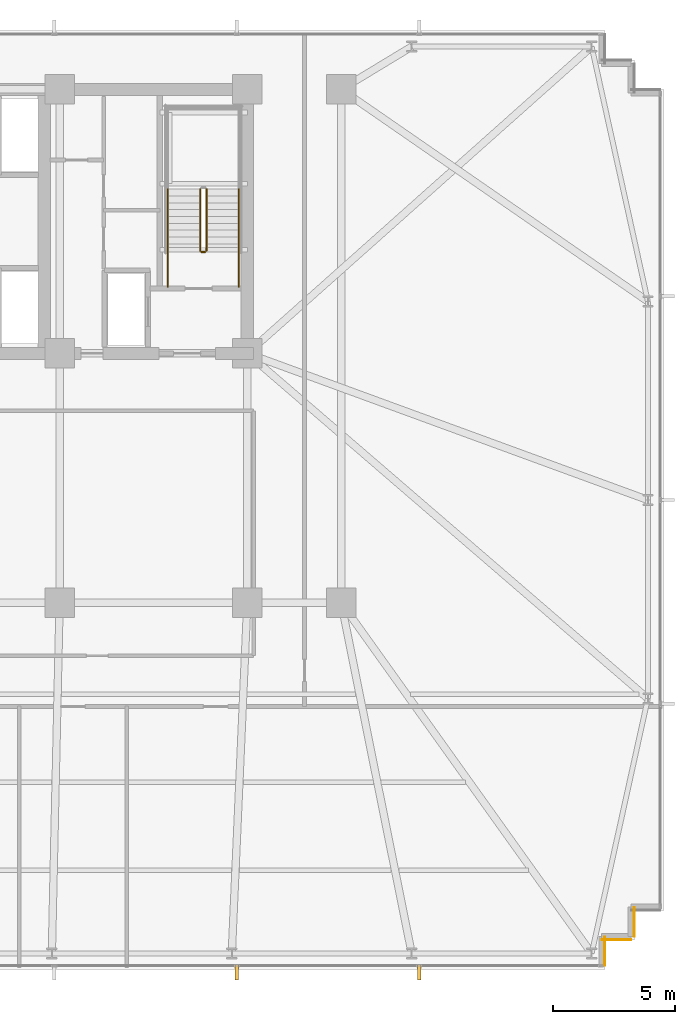
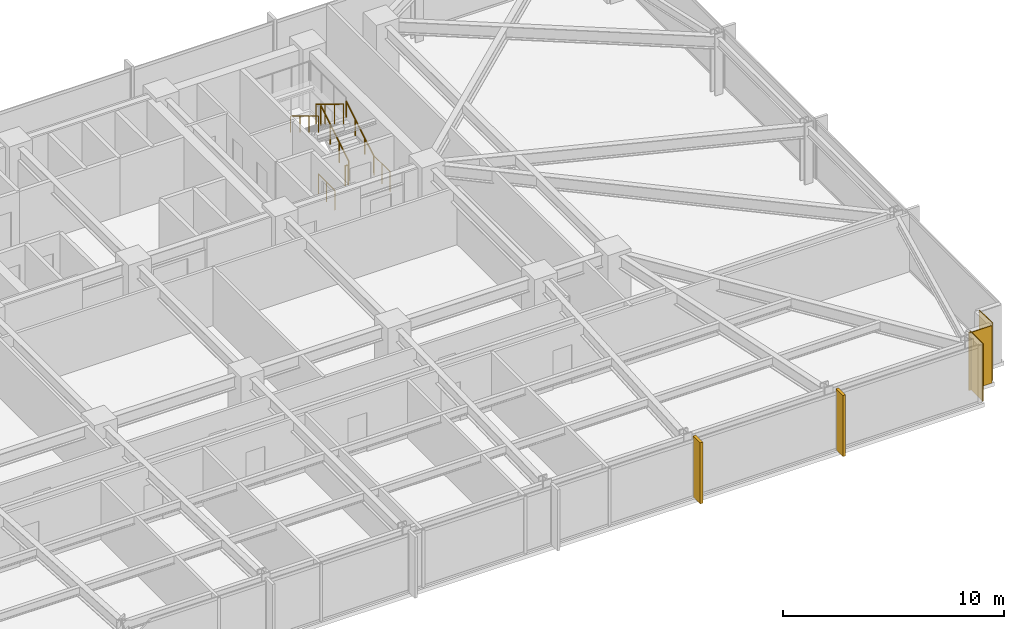
# One storey, part 29 of 32: 7 railings, 3 coverings, 2 shading devices.
"""IFC4 building model written with IfcOpenShell, lengths in metres."""

import ifcopenshell
import ifcopenshell.guid

model = None  # the IFC model being written
_history = None  # IfcOwnerHistory: only IFC2X3 demands one
_inside = {}  # id of a spatial element -> (the spatial element, [elements in it])
_under = {}  # id of a project, library or spatial element -> (it, [spatial elements below it])
_declared = {}  # id of a project -> (the project, [libraries it declares])
_typed = {}  # id of a type object -> (the type object, [elements of that type])
_made_of = {}  # id of a material, layer set ... -> (it, [elements and type objects made of it])


def new_model(schema):
    """Start an empty IFC model of exactly this schema.

    Asked for "IFC4X3", IfcOpenShell would pick the latest addendum, in which some entities
    have other attributes; the version numbers below select the first issue.
    IFC2X3 requires an IfcOwnerHistory on every rooted entity: one is made here for all.
    """
    global model, _history
    if schema == "IFC4X3":
        model = ifcopenshell.file(schema_version=(4, 3, 0, 0))
    else:
        model = ifcopenshell.file(schema=schema)
    _inside.clear()
    _under.clear()
    _declared.clear()
    _typed.clear()
    _made_of.clear()
    _history = None
    if model.schema == "IFC2X3":
        org = make("IfcOrganization", Name="unknown")
        user = make(
            "IfcPersonAndOrganization",
            ThePerson=make("IfcPerson", FamilyName="unknown"),
            TheOrganization=org,
        )
        app = make(
            "IfcApplication",
            ApplicationDeveloper=org,
            Version="unknown",
            ApplicationFullName="unknown",
            ApplicationIdentifier="unknown",
        )
        _history = make(
            "IfcOwnerHistory",
            OwningUser=user,
            OwningApplication=app,
            ChangeAction="ADDED",
            CreationDate=0,
        )
    return model


def make(cls, **values):
    """One entity of the class cls with the attributes given. An attribute that is None is left unset."""
    return model.create_entity(
        cls, **{name: value for name, value in values.items() if value is not None}
    )


def rooted(cls, **values):
    """An entity with a GlobalId (a new one), such as an element, a storey or a relation."""
    return make(cls, GlobalId=ifcopenshell.guid.new(), OwnerHistory=_history, **values)


def si_unit(unit_type, name, prefix=None):
    """IfcSIUnit, for example si_unit("LENGTHUNIT", "METRE", prefix="MILLI")."""
    return make("IfcSIUnit", UnitType=unit_type, Prefix=prefix, Name=name)


def assignment(units):
    """IfcUnitAssignment: the units of a project."""
    return None if units is None else make("IfcUnitAssignment", Units=units)


def point(xyz):
    """IfcCartesianPoint."""
    return None if xyz is None else make("IfcCartesianPoint", Coordinates=xyz)


def direction(xyz):
    """IfcDirection."""
    return None if xyz is None else make("IfcDirection", DirectionRatios=xyz)


def frame(location, z_axis=None, x_axis=None):
    """IfcAxis2Placement3D, a coordinate frame: its origin and axes. An axis left out is left unset."""
    return make(
        "IfcAxis2Placement3D",
        Location=point(location),
        Axis=direction(z_axis),
        RefDirection=direction(x_axis),
    )


def frame_2d(location, x_axis=None):
    """IfcAxis2Placement2D, a coordinate frame in the plane: its origin and x axis."""
    return make(
        "IfcAxis2Placement2D", Location=point(location), RefDirection=direction(x_axis)
    )


def origin():
    """The frame at (0, 0, 0) with its axes left unset."""
    return frame((0.0, 0.0, 0.0))


def origin_2d():
    """The frame at (0, 0) in the plane with its x axis left unset."""
    return frame_2d((0.0, 0.0))


def place(relative_to, where):
    """IfcLocalPlacement: puts the frame where relative to a parent placement (None: the world)."""
    return make(
        "IfcLocalPlacement", PlacementRelTo=relative_to, RelativePlacement=where
    )


def context(
    kind, dimensions, precision=None, world=None, true_north=None, identifier=None
):
    """IfcGeometricRepresentationContext, for example the 3D "Model" context."""
    return make(
        "IfcGeometricRepresentationContext",
        ContextIdentifier=identifier,
        ContextType=kind,
        CoordinateSpaceDimension=dimensions,
        Precision=precision,
        WorldCoordinateSystem=world,
        TrueNorth=true_north,
    )


def subcontext(parent, identifier, kind, view, scale=None):
    """IfcGeometricRepresentationSubContext, for example "Body" below "Model"."""
    return make(
        "IfcGeometricRepresentationSubContext",
        ContextIdentifier=identifier,
        ContextType=kind,
        ParentContext=parent,
        TargetScale=scale,
        TargetView=view,
    )


def project(units=None, contexts=None):
    """IfcProject with its units and contexts."""
    return rooted(
        "IfcProject",
        Name="project",
        RepresentationContexts=contexts,
        UnitsInContext=assignment(units),
    )


def spatial(cls, under=None, at=None, **own):
    """A site, building, storey or space (cls), placed at a placement, below another one or the project."""
    s = rooted(cls, ObjectPlacement=at, **own)
    if under is not None:
        _under.setdefault(under.id(), (under, []))[1].append(s)
    return s


def profile(cls, at=None, kind="AREA", **sizes):
    """A parametric profile (cls). Its sizes go by their IFC names, for example OverallWidth=200.0."""
    return make(cls, ProfileType=kind, Position=at, **sizes)


def rectangle(**sizes):
    """IfcRectangleProfileDef."""
    return profile("IfcRectangleProfileDef", **sizes)


def circle(**sizes):
    """IfcCircleProfileDef."""
    return profile("IfcCircleProfileDef", **sizes)


def extrude(swept, where, along, depth):
    """IfcExtrudedAreaSolid: the profile swept, set in the frame where, extruded along a direction by depth."""
    return make(
        "IfcExtrudedAreaSolid",
        SweptArea=swept,
        Position=where,
        ExtrudedDirection=direction(along),
        Depth=depth,
    )


def shape(context_of_items, identifier, shape_type, items):
    """IfcShapeRepresentation: the items that make up one representation, for example the "Body"."""
    return make(
        "IfcShapeRepresentation",
        ContextOfItems=context_of_items,
        RepresentationIdentifier=identifier,
        RepresentationType=shape_type,
        Items=items,
    )


def material(Name=None, Category=None):
    """IfcMaterial."""
    return make("IfcMaterial", Name=Name, Category=Category)


def layer(
    of_material, thickness, ventilated=None, Name=None, Category=None, Priority=None
):
    """IfcMaterialLayer: one layer of a wall or slab, of a material (None: an air gap)."""
    return make(
        "IfcMaterialLayer",
        Material=of_material,
        LayerThickness=thickness,
        IsVentilated=ventilated,
        Name=Name,
        Category=Category,
        Priority=Priority,
    )


def layer_set(layers, Name=None):
    """IfcMaterialLayerSet."""
    return make("IfcMaterialLayerSet", MaterialLayers=layers, LayerSetName=Name)


def made_of(thing, what):
    """Note that an element or type object is made of a material, layer set ...; save() writes the relation."""
    if what is not None:
        _made_of.setdefault(what.id(), (what, []))[1].append(thing)
    return thing


def type_object(cls, material=None, **own):
    """A type object (cls), such as IfcWallType, which elements share."""
    return made_of(rooted(cls, **own), material)


def element(
    cls,
    number,
    at=None,
    inside=None,
    cuts=None,
    type_object=None,
    material=None,
    context=None,
    identifier="Body",
    shape_type=None,
    held_by="IfcProductDefinitionShape",
    body=None,
    shapes=None,
    **own,
):
    """One element of the class cls, such as IfcWall. Its Tag is "e" and its number.

    at: its placement. inside: the storey or other place that contains it. cuts: it is an
    opening in that element (IfcRelVoidsElement). A single representation is given by context,
    identifier, shape_type and body (its items); several are given by shapes. held_by: the class
    of the entity that holds the representations. save() writes the other relations.
    """
    e = rooted(cls, Tag="e%d" % number, ObjectPlacement=at, **own)
    if body is not None:
        shapes = [shape(context, identifier, shape_type, body)]
    if shapes is not None:
        e.Representation = make(held_by, Representations=shapes)
    if inside is not None:
        _inside.setdefault(inside.id(), (inside, []))[1].append(e)
    if cuts is not None:
        rooted(
            "IfcRelVoidsElement", RelatingBuildingElement=cuts, RelatedOpeningElement=e
        )
    if type_object is not None:
        _typed.setdefault(type_object.id(), (type_object, []))[1].append(e)
    return made_of(e, material)


def aggregate(whole, parts):
    """IfcRelAggregates: a whole, such as a stair, and the parts it consists of."""
    return rooted("IfcRelAggregates", RelatingObject=whole, RelatedObjects=parts)


def save(model, path):
    """Write the relations noted so far, then the file.

    IfcRelAggregates (storeys below a building ...), IfcRelContainedInSpatialStructure (elements
    in a storey), IfcRelDefinesByType, IfcRelAssociatesMaterial and IfcRelDeclares: one each for
    every whole, place, type object, material and project.
    """
    for whole, parts in _under.values():
        aggregate(whole, parts)
    for where, things in _inside.values():
        rooted(
            "IfcRelContainedInSpatialStructure",
            RelatedElements=things,
            RelatingStructure=where,
        )
    for kind, things in _typed.values():
        rooted("IfcRelDefinesByType", RelatedObjects=things, RelatingType=kind)
    for what, things in _made_of.values():
        rooted("IfcRelAssociatesMaterial", RelatedObjects=things, RelatingMaterial=what)
    for by, libraries in _declared.values():
        rooted("IfcRelDeclares", RelatingContext=by, RelatedDefinitions=libraries)
    model.write(path)


model = new_model("IFC4")

# Units and contexts
model_context = context("Model", 3, precision=1e-05, world=origin(), true_north=direction((0.0, 1.0)))
body_context = subcontext(model_context, "Body", "Model", "MODEL_VIEW")
ifc_project = project(units=[si_unit("LENGTHUNIT", "METRE"), si_unit("AREAUNIT", "SQUARE_METRE"), si_unit("VOLUMEUNIT", "CUBIC_METRE"), si_unit("PLANEANGLEUNIT", "RADIAN"), si_unit("MASSUNIT", "GRAM", prefix="KILO")], contexts=[model_context])

# Site, building, storey
site_placement = place(None, origin())
site = spatial("IfcSite", under=ifc_project, at=site_placement, CompositionType="ELEMENT")
building_placement = place(site_placement, origin())
building = spatial("IfcBuilding", under=site, at=building_placement, Name="Yelkora Congress Tower", CompositionType="ELEMENT")
storey_placement = place(building_placement, frame((0.0, 0.0, 44.0)))
storey = spatial("IfcBuildingStorey", under=building, at=storey_placement, Name="L10", CompositionType="ELEMENT", Elevation=44.0)

# Coverings
ifc_material_1 = material(Name="Anatolian bush-hammered limestone", Category="masonry")
ifc_layer_1 = layer(ifc_material_1, 0.0400390625)
ifc_layer_set_1 = layer_set([ifc_layer_1], Name="Anatolian bush-hammered limestone")
covering_type = type_object("IfcCoveringType", Name="COV-CLAD-SPANDREL-40", PredefinedType="CLADDING", material=ifc_layer_set_1)
for number, where, z_axis, x_axis, name in (
    (1, (69.594970703125, 12.739990234375, 0.0), (0.0, 0.0, 1.0), (0.0, -1.0, 0.0), "L10 Anatolian Limestone Cladding EW-L10-SR17"),
    (2, (69.4599609375, 11.405029296875, 0.0), (0.0, 0.0, 1.0), (-1.0, 0.0, 0.0), "L10 Anatolian Limestone Cladding EW-L10-SR18"),
    (3, (68.39501953125, 11.5400390625, 0.0), (0.0, 0.0, 1.0), (0.0, -1.0, 0.0), "L10 Anatolian Limestone Cladding EW-L10-SR19"),
):
    element("IfcCovering", number, at=place(storey_placement, frame(where, z_axis=z_axis, x_axis=x_axis)), inside=storey, type_object=covering_type, Name=name, PredefinedType="CLADDING", context=body_context, shape_type="SweptSolid", body=[
        extrude(rectangle(XDim=1.199951171875, YDim=0.0400390625, at=frame_2d((0.60009765625, 0.0))), origin(), (0.0, 0.0, 1.0), 3.179931640625),
    ])

# Railings
ifc_material_2 = material(Name="Painted galvanised steel stair well guard with vertical infill", Category="steel")
ifc_layer_2 = layer(ifc_material_2, 0.06005859375)
ifc_layer_set_2 = layer_set([ifc_layer_2], Name="Painted galvanised steel stair well guard with vertical infill")
railing_type_1 = type_object("IfcRailingType", Name="RAIL-STAIR-GUARD-1120", PredefinedType="GUARDRAIL", material=ifc_layer_set_2)
railing_1_placement = place(storey_placement, frame((52.090087890625, 39.60009765625, 0.169921875)))
element("IfcRailing", 4, at=railing_1_placement, inside=storey, type_object=railing_type_1, Name="ST-02 L10 Stair Well Guardrail 1", PredefinedType="GUARDRAIL", context=body_context, shape_type="SweptSolid", body=[
    extrude(circle(Radius=0.02392578125, at=origin_2d()), frame((0.0, 0.0, 1.09619140625), z_axis=(0.0, 0.85478489116, 0.518982456201), x_axis=(-1.0, 0.0, 0.0)), (0.0, 0.0, 1.0), 2.9482421875),
    extrude(circle(Radius=0.02099609375, at=origin_2d()), origin(), (0.0, 0.0, 1.0), 1.072021484375),
    extrude(circle(Radius=0.02099609375, at=origin_2d()), frame((0.0, 0.840087890625, 0.510009765625)), (0.0, 0.0, 1.0), 1.072021484375),
    extrude(circle(Radius=0.02099609375, at=origin_2d()), frame((0.0, 1.679931640625, 1.02001953125)), (0.0, 0.0, 1.0), 1.072021484375),
    extrude(circle(Radius=0.02099609375, at=origin_2d()), frame((0.0, 2.52001953125, 1.530029296875)), (0.0, 0.0, 1.0), 1.072021484375),
])
railing_2_placement = place(storey_placement, frame((51.830078125, 42.1201171875, 1.8701171875)))
element("IfcRailing", 5, at=railing_2_placement, inside=storey, type_object=railing_type_1, Name="ST-02 L10 Stair Well Guardrail 6", PredefinedType="GUARDRAIL", context=body_context, shape_type="SweptSolid", body=[
    extrude(circle(Radius=0.02392578125, at=origin_2d()), frame((0.0, 0.0, 1.09619140625), z_axis=(0.0, -0.854821627497, 0.518921945155), x_axis=(1.0, 0.0, 0.0)), (0.0, 0.0, 1.0), 2.947998046875),
    extrude(circle(Radius=0.02099609375, at=origin_2d()), origin(), (0.0, 0.0, 1.0), 1.072021484375),
    extrude(circle(Radius=0.02099609375, at=origin_2d()), frame((0.0, -0.840087890625, 0.510009765625)), (0.0, 0.0, 1.0), 1.072021484375),
    extrude(circle(Radius=0.02099609375, at=origin_2d()), frame((0.0, -1.679931640625, 1.019775390625)), (0.0, 0.0, 1.0), 1.072021484375),
    extrude(circle(Radius=0.02099609375, at=origin_2d()), frame((0.0, -2.52001953125, 1.52978515625)), (0.0, 0.0, 1.0), 1.072021484375),
])
railing_3_placement = place(storey_placement, frame((52.0400390625, 39.550048828125, 0.0)))
element("IfcRailing", 6, at=railing_3_placement, inside=storey, type_object=railing_type_1, Name="ST-02 L10 Stair Well Guardrail 7", PredefinedType="GUARDRAIL", context=body_context, shape_type="SweptSolid", body=[
    extrude(circle(Radius=0.02392578125, at=origin_2d()), frame((0.0, 0.0, 1.09619140625), z_axis=(-1.0, 0.0, 0.0), x_axis=(0.0, -1.0, 0.0)), (0.0, 0.0, 1.0), 0.16015625),
    extrude(circle(Radius=0.02099609375, at=origin_2d()), origin(), (0.0, 0.0, 1.0), 1.072021484375),
    extrude(circle(Radius=0.02099609375, at=origin_2d()), frame((-0.16015625, 0.0, 0.0)), (0.0, 0.0, 1.0), 1.072021484375),
])
for number, where, name in (
    (7, (53.409912109375, 38.1201171875, 0.0), "ST-02 L10 Stair Well Guardrail 8"),
    (8, (50.510009765625, 38.1201171875, 0.0), "ST-02 L10 Stair Well Guardrail 9"),
):
    element("IfcRailing", number, at=place(storey_placement, frame(where)), inside=storey, type_object=railing_type_1, Name=name, PredefinedType="GUARDRAIL", context=body_context, shape_type="SweptSolid", body=[
        extrude(circle(Radius=0.02392578125, at=origin_2d()), frame((0.0, 0.0, 1.09619140625), z_axis=(0.0, 1.0, 0.0), x_axis=(-1.0, 0.0, 0.0)), (0.0, 0.0, 1.0), 1.47998046875),
        extrude(circle(Radius=0.02099609375, at=origin_2d()), origin(), (0.0, 0.0, 1.0), 1.072021484375),
        extrude(circle(Radius=0.02099609375, at=origin_2d()), frame((0.0, 0.739990234375, 0.0)), (0.0, 0.0, 1.0), 1.072021484375),
        extrude(circle(Radius=0.02099609375, at=origin_2d()), frame((0.0, 1.47998046875, 0.0)), (0.0, 0.0, 1.0), 1.072021484375),
    ])
ifc_material_3 = material(Name="Brushed stainless steel tubular handrail", Category="steel")
ifc_layer_3 = layer(ifc_material_3, 0.050048828125)
ifc_layer_set_3 = layer_set([ifc_layer_3], Name="Brushed stainless steel tubular handrail")
railing_type_2 = type_object("IfcRailingType", Name="RAIL-STAIR-HAND-920", PredefinedType="HANDRAIL", material=ifc_layer_set_3)
railing_4_placement = place(storey_placement, frame((53.409912109375, 39.60009765625, 0.169921875)))
element("IfcRailing", 9, at=railing_4_placement, inside=storey, type_object=railing_type_2, Name="ST-02 L10 Pitch Handrail 1", PredefinedType="HANDRAIL", context=body_context, shape_type="SweptSolid", body=[
    extrude(circle(Radius=0.02392578125, at=origin_2d()), frame((0.0, 0.0, 0.89599609375), z_axis=(0.0, 0.85478489116, 0.518982456201), x_axis=(-1.0, 0.0, 0.0)), (0.0, 0.0, 1.0), 2.9482421875),
    extrude(circle(Radius=0.02099609375, at=origin_2d()), origin(), (0.0, 0.0, 1.0), 0.871826171875),
    extrude(circle(Radius=0.02099609375, at=origin_2d()), frame((0.0, 0.840087890625, 0.510009765625)), (0.0, 0.0, 1.0), 0.871826171875),
    extrude(circle(Radius=0.02099609375, at=origin_2d()), frame((0.0, 1.679931640625, 1.02001953125)), (0.0, 0.0, 1.0), 0.871826171875),
    extrude(circle(Radius=0.02099609375, at=origin_2d()), frame((0.0, 2.52001953125, 1.530029296875)), (0.0, 0.0, 1.0), 0.871826171875),
])
railing_5_placement = place(storey_placement, frame((50.510009765625, 42.1201171875, 1.8701171875)))
element("IfcRailing", 10, at=railing_5_placement, inside=storey, type_object=railing_type_2, Name="ST-02 L10 Pitch Handrail 2", PredefinedType="HANDRAIL", context=body_context, shape_type="SweptSolid", body=[
    extrude(circle(Radius=0.02392578125, at=origin_2d()), frame((0.0, 0.0, 0.89599609375), z_axis=(0.0, -0.854821627497, 0.518921945155), x_axis=(1.0, 0.0, 0.0)), (0.0, 0.0, 1.0), 2.947998046875),
    extrude(circle(Radius=0.02099609375, at=origin_2d()), origin(), (0.0, 0.0, 1.0), 0.871826171875),
    extrude(circle(Radius=0.02099609375, at=origin_2d()), frame((0.0, -0.840087890625, 0.510009765625)), (0.0, 0.0, 1.0), 0.871826171875),
    extrude(circle(Radius=0.02099609375, at=origin_2d()), frame((0.0, -1.679931640625, 1.019775390625)), (0.0, 0.0, 1.0), 0.871826171875),
    extrude(circle(Radius=0.02099609375, at=origin_2d()), frame((0.0, -2.52001953125, 1.52978515625)), (0.0, 0.0, 1.0), 0.871826171875),
])

# Shading devices
ifc_material_4 = material(Name="Champagne anodised aluminium", Category="aluminium")
ifc_layer_4 = layer(ifc_material_4, 3.39990234375)
ifc_layer_set_4 = layer_set([ifc_layer_4], Name="Champagne anodised aluminium")
shading_device_type = type_object("IfcShadingDeviceType", Name="SHD-FIN-ALU-640", PredefinedType="USERDEFINED", material=ifc_layer_set_4)
for number, where, z_axis, x_axis, name in (
    (11, (60.794921875, 10.080078125, -0.030029296875), (0.0, 0.0, 1.0), (-1.0, 0.0, 0.0), "L10 Vertical Anodised Solar Fin 20-1"),
    (12, (53.330078125, 10.080078125, -0.030029296875), (0.0, 0.0, 1.0), (-1.0, 0.0, 0.0), "L10 Vertical Anodised Solar Fin 20-2"),
):
    element("IfcShadingDevice", number, at=place(storey_placement, frame(where, z_axis=z_axis, x_axis=x_axis)), inside=storey, type_object=shading_device_type, Name=name, ObjectType="FIN", PredefinedType="USERDEFINED", context=body_context, shape_type="SweptSolid", body=[
        extrude(rectangle(XDim=0.139892578125, YDim=0.639892578125, at=origin_2d()), origin(), (0.0, 0.0, 1.0), 3.3798828125),
    ])

save(model, "model.ifc")
